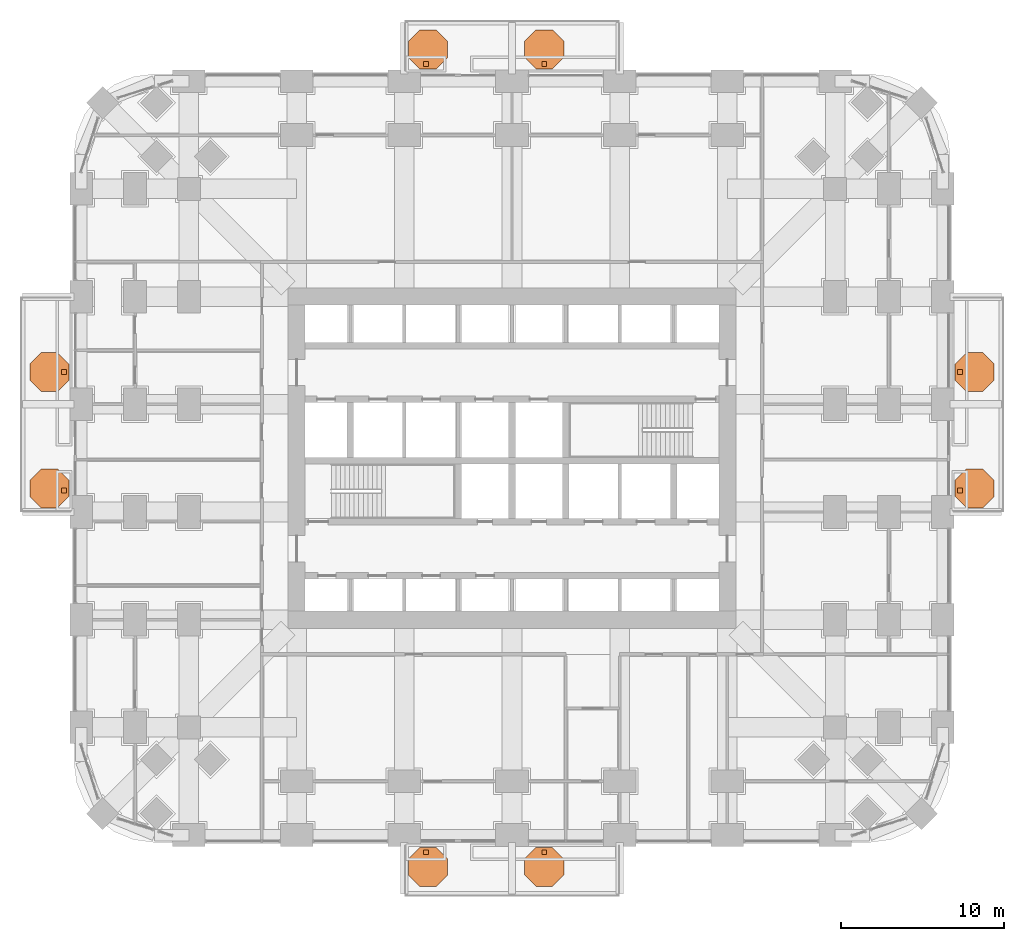
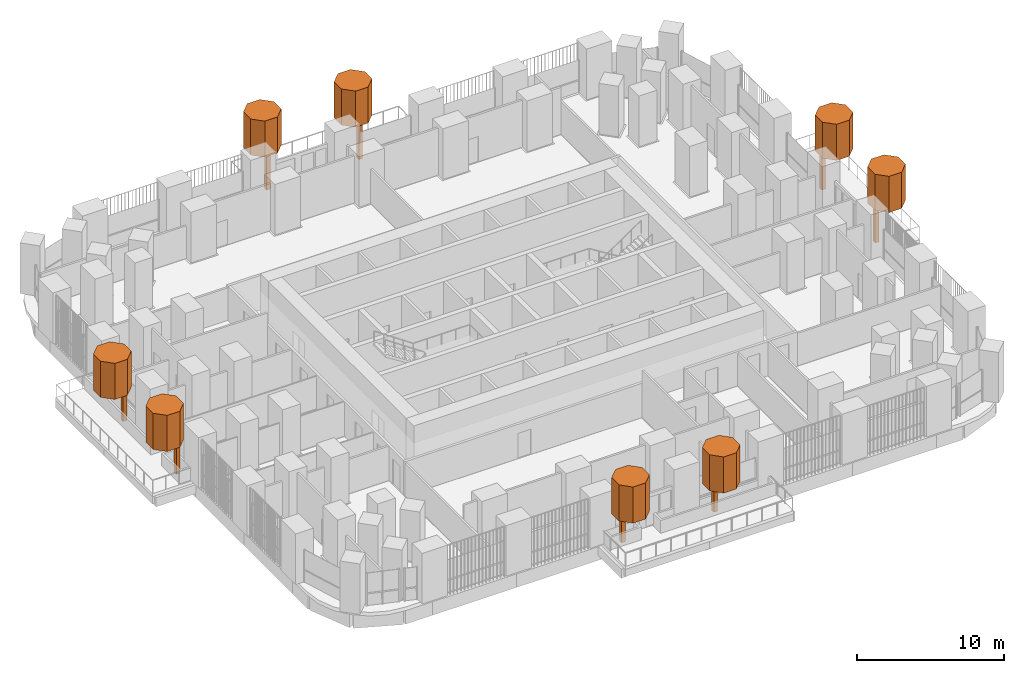
# One storey, part 24 of 24: 16 geographic elements.
"""IFC4 building model written with IfcOpenShell, lengths in metres."""

from ifc_helpers import new_model, si_unit, direction, frame, origin, origin_2d, place, context, subcontext, project, spatial, polyline, rectangle, outline, extrude, material, type_object, element, save


model = new_model("IFC4")

# Units and contexts
model_context = context("Model", 3, precision=1e-05, world=origin(), true_north=direction((0.0, 1.0)))
body_context = subcontext(model_context, "Body", "Model", "MODEL_VIEW")
ifc_project = project(units=[si_unit("LENGTHUNIT", "METRE"), si_unit("AREAUNIT", "SQUARE_METRE"), si_unit("VOLUMEUNIT", "CUBIC_METRE"), si_unit("PLANEANGLEUNIT", "RADIAN"), si_unit("MASSUNIT", "GRAM", prefix="KILO")], contexts=[model_context])

# Site, building, storey
site_placement = place(None, origin())
site = spatial("IfcSite", under=ifc_project, at=site_placement, CompositionType="ELEMENT")
building_placement = place(site_placement, origin())
building = spatial("IfcBuilding", under=site, at=building_placement, Name="Cobogo Forest Laboratory Tower", CompositionType="ELEMENT")
storey_placement = place(building_placement, frame((0.0, 0.0, 17.10009765625)))
storey = spatial("IfcBuildingStorey", under=building, at=storey_placement, Name="L03", CompositionType="ELEMENT", Elevation=17.10009765625)

# Geographic elements
ifc_material = material(Name="Planting", Category="plant")
geographic_element_type_1 = type_object("IfcGeographicElementType", Name="Tree trunk 300", PredefinedType="USERDEFINED", material=ifc_material)
for number, where, z_axis, x_axis, name in (
    (1, (21.125, -1.050048828125, 0.0), (0.0, 0.0, 1.0), (1.0, 0.0, 0.0), "Tree trunk BAL-S1-PL1 L03"),
    (2, (28.375, -1.050048828125, 0.0), (0.0, 0.0, 1.0), (1.0, 0.0, 0.0), "Tree trunk BAL-S1-PL2 L03"),
    (3, (53.85009765625, 21.125, 0.0), (0.0, 0.0, 1.0), (1.0, 0.0, 0.0), "Tree trunk BAL-E1-PL1 L03"),
    (4, (53.85009765625, 28.375, 0.0), (0.0, 0.0, 1.0), (1.0, 0.0, 0.0), "Tree trunk BAL-E1-PL2 L03"),
    (5, (21.125, 47.25, 0.0), (0.0, 0.0, 1.0), (1.0, 0.0, 0.0), "Tree trunk BAL-N1-PL1 L03"),
    (6, (28.375, 47.25, 0.0), (0.0, 0.0, 1.0), (1.0, 0.0, 0.0), "Tree trunk BAL-N1-PL2 L03"),
    (7, (-1.050048828125, 21.125, 0.0), (0.0, 0.0, 1.0), (1.0, 0.0, 0.0), "Tree trunk BAL-W1-PL1 L03"),
    (8, (-1.050048828125, 28.375, 0.0), (0.0, 0.0, 1.0), (1.0, 0.0, 0.0), "Tree trunk BAL-W1-PL2 L03"),
):
    element("IfcGeographicElement", number, at=place(storey_placement, frame(where, z_axis=z_axis, x_axis=x_axis)), inside=storey, type_object=geographic_element_type_1, Name=name, ObjectType="TREE TRUNK", PredefinedType="USERDEFINED", context=body_context, shape_type="SweptSolid", body=[
        extrude(rectangle(XDim=0.300048828125, YDim=0.300048828125, at=origin_2d()), origin(), (0.0, 0.0, 1.0), 2.89990234375),
    ])
geographic_element_type_2 = type_object("IfcGeographicElementType", Name="Tree, holm oak 5 m", PredefinedType="USERDEFINED", material=ifc_material)
geographic_element_1_placement = place(storey_placement, frame((0.0, 0.0, 2.89990234375)))
element("IfcGeographicElement", 9, at=geographic_element_1_placement, inside=storey, type_object=geographic_element_type_2, Name="Holm tree BAL-S1-PL1 L03", ObjectType="TREE", PredefinedType="USERDEFINED", context=body_context, shape_type="SweptSolid", body=[
    extrude(outline(polyline([(22.449951171875, -2.447021484375), (22.449951171875, -1.452880859375), (21.7470703125, -0.75), (20.7529296875, -0.75), (20.050048828125, -1.452880859375), (20.050048828125, -2.447021484375), (20.7529296875, -3.14990234375), (21.7470703125, -3.14990234375), (22.449951171875, -2.447021484375)])), origin(), (0.0, 0.0, 1.0), 3.0),
])
geographic_element_2_placement = place(storey_placement, frame((0.0, 0.0, 2.89990234375)))
element("IfcGeographicElement", 10, at=geographic_element_2_placement, inside=storey, type_object=geographic_element_type_2, Name="Holm tree BAL-S1-PL2 L03", ObjectType="TREE", PredefinedType="USERDEFINED", context=body_context, shape_type="SweptSolid", body=[
    extrude(outline(polyline([(29.574951171875, -2.447021484375), (29.574951171875, -1.452880859375), (28.8720703125, -0.75), (27.8779296875, -0.75), (27.175048828125, -1.452880859375), (27.175048828125, -2.447021484375), (27.8779296875, -3.14990234375), (28.8720703125, -3.14990234375), (29.574951171875, -2.447021484375)])), origin(), (0.0, 0.0, 1.0), 3.0),
])
geographic_element_3_placement = place(storey_placement, frame((0.0, 0.0, 2.89990234375)))
element("IfcGeographicElement", 11, at=geographic_element_3_placement, inside=storey, type_object=geographic_element_type_2, Name="Holm tree BAL-E1-PL1 L03", ObjectType="TREE", PredefinedType="USERDEFINED", context=body_context, shape_type="SweptSolid", body=[
    extrude(outline(polyline([(55.949951171875, 20.7529296875), (55.949951171875, 21.7470703125), (55.2470703125, 22.449951171875), (54.2529296875, 22.449951171875), (53.550048828125, 21.7470703125), (53.550048828125, 20.7529296875), (54.2529296875, 20.050048828125), (55.2470703125, 20.050048828125), (55.949951171875, 20.7529296875)])), origin(), (0.0, 0.0, 1.0), 3.0),
])
geographic_element_4_placement = place(storey_placement, frame((0.0, 0.0, 2.89990234375)))
element("IfcGeographicElement", 12, at=geographic_element_4_placement, inside=storey, type_object=geographic_element_type_2, Name="Holm tree BAL-E1-PL2 L03", ObjectType="TREE", PredefinedType="USERDEFINED", context=body_context, shape_type="SweptSolid", body=[
    extrude(outline(polyline([(55.949951171875, 27.8779296875), (55.949951171875, 28.8720703125), (55.2470703125, 29.574951171875), (54.2529296875, 29.574951171875), (53.550048828125, 28.8720703125), (53.550048828125, 27.8779296875), (54.2529296875, 27.175048828125), (55.2470703125, 27.175048828125), (55.949951171875, 27.8779296875)])), origin(), (0.0, 0.0, 1.0), 3.0),
])
geographic_element_5_placement = place(storey_placement, frame((0.0, 0.0, 2.89990234375)))
element("IfcGeographicElement", 13, at=geographic_element_5_placement, inside=storey, type_object=geographic_element_type_2, Name="Holm tree BAL-N1-PL1 L03", ObjectType="TREE", PredefinedType="USERDEFINED", context=body_context, shape_type="SweptSolid", body=[
    extrude(outline(polyline([(22.449951171875, 47.65283203125), (22.449951171875, 48.64697265625), (21.7470703125, 49.35009765625), (20.7529296875, 49.35009765625), (20.050048828125, 48.64697265625), (20.050048828125, 47.65283203125), (20.7529296875, 46.949951171875), (21.7470703125, 46.949951171875), (22.449951171875, 47.65283203125)])), origin(), (0.0, 0.0, 1.0), 3.0),
])
geographic_element_6_placement = place(storey_placement, frame((0.0, 0.0, 2.89990234375)))
element("IfcGeographicElement", 14, at=geographic_element_6_placement, inside=storey, type_object=geographic_element_type_2, Name="Holm tree BAL-N1-PL2 L03", ObjectType="TREE", PredefinedType="USERDEFINED", context=body_context, shape_type="SweptSolid", body=[
    extrude(outline(polyline([(29.574951171875, 47.65283203125), (29.574951171875, 48.64697265625), (28.8720703125, 49.35009765625), (27.8779296875, 49.35009765625), (27.175048828125, 48.64697265625), (27.175048828125, 47.65283203125), (27.8779296875, 46.949951171875), (28.8720703125, 46.949951171875), (29.574951171875, 47.65283203125)])), origin(), (0.0, 0.0, 1.0), 3.0),
])
geographic_element_7_placement = place(storey_placement, frame((0.0, 0.0, 2.89990234375)))
element("IfcGeographicElement", 15, at=geographic_element_7_placement, inside=storey, type_object=geographic_element_type_2, Name="Holm tree BAL-W1-PL1 L03", ObjectType="TREE", PredefinedType="USERDEFINED", context=body_context, shape_type="SweptSolid", body=[
    extrude(outline(polyline([(-0.75, 20.7529296875), (-0.75, 21.7470703125), (-1.452880859375, 22.449951171875), (-2.447021484375, 22.449951171875), (-3.14990234375, 21.7470703125), (-3.14990234375, 20.7529296875), (-2.447021484375, 20.050048828125), (-1.452880859375, 20.050048828125), (-0.75, 20.7529296875)])), origin(), (0.0, 0.0, 1.0), 3.0),
])
geographic_element_8_placement = place(storey_placement, frame((0.0, 0.0, 2.89990234375)))
element("IfcGeographicElement", 16, at=geographic_element_8_placement, inside=storey, type_object=geographic_element_type_2, Name="Holm tree BAL-W1-PL2 L03", ObjectType="TREE", PredefinedType="USERDEFINED", context=body_context, shape_type="SweptSolid", body=[
    extrude(outline(polyline([(-0.75, 27.8779296875), (-0.75, 28.8720703125), (-1.452880859375, 29.574951171875), (-2.447021484375, 29.574951171875), (-3.14990234375, 28.8720703125), (-3.14990234375, 27.8779296875), (-2.447021484375, 27.175048828125), (-1.452880859375, 27.175048828125), (-0.75, 27.8779296875)])), origin(), (0.0, 0.0, 1.0), 3.0),
])

save(model, "model.ifc")
